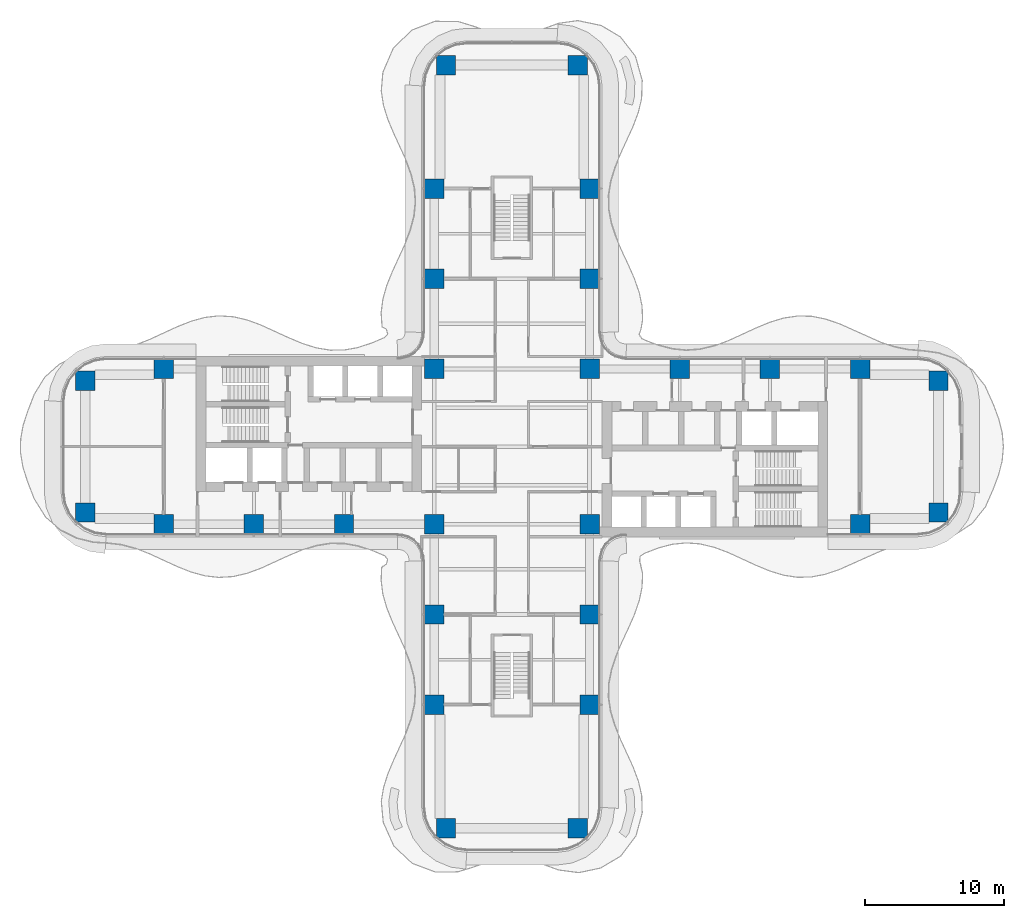
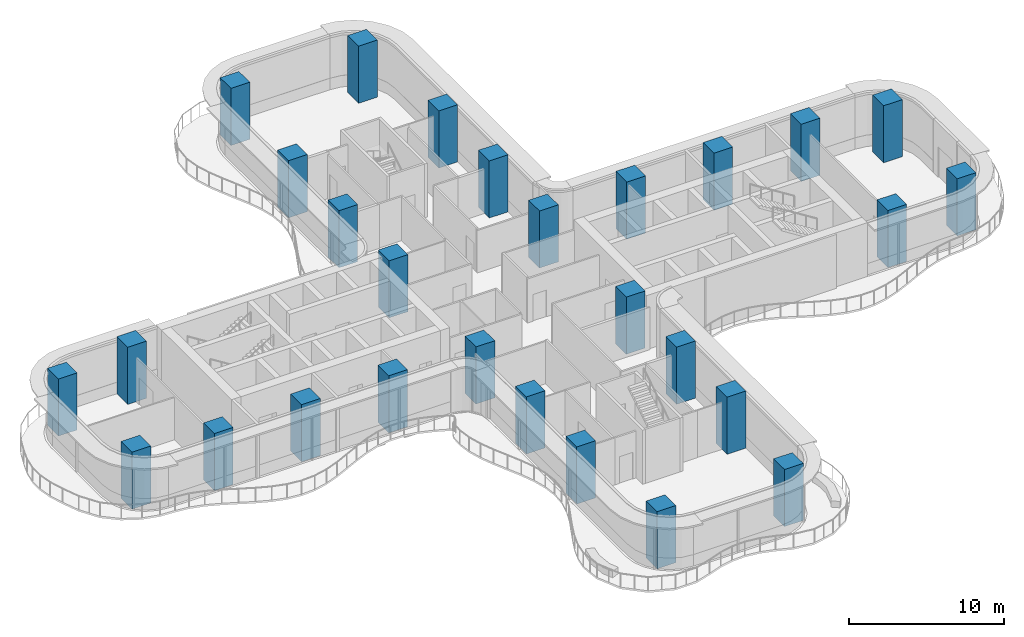
# One storey, part 1 of 22: 28 columns.
"""IFC4 building model written with IfcOpenShell, lengths in metres."""

from ifc_helpers import new_model, si_unit, direction, frame, origin, origin_2d, place, context, subcontext, project, spatial, rectangle, extrude, source, transform, mapped, material, material_profile, profile_set, type_object, element, save


model = new_model("IFC4")

# Units and contexts
model_context = context("Model", 3, precision=1e-05, world=origin(), true_north=direction((0.0, 1.0)))
body_context = subcontext(model_context, "Body", "Model", "MODEL_VIEW")
ifc_project = project(units=[si_unit("LENGTHUNIT", "METRE"), si_unit("AREAUNIT", "SQUARE_METRE"), si_unit("VOLUMEUNIT", "CUBIC_METRE"), si_unit("PLANEANGLEUNIT", "RADIAN"), si_unit("MASSUNIT", "GRAM", prefix="KILO")], contexts=[model_context])

# Site, building, storey
site_placement = place(None, origin())
site = spatial("IfcSite", under=ifc_project, at=site_placement, CompositionType="ELEMENT")
building_placement = place(site_placement, origin())
building = spatial("IfcBuilding", under=site, at=building_placement, Name="Trellis Farm Tower", CompositionType="ELEMENT")
storey_placement = place(building_placement, frame((0.0, 0.0, 43.0)))
storey = spatial("IfcBuildingStorey", under=building, at=storey_placement, Name="L08", CompositionType="ELEMENT", Elevation=43.0)

# Columns
ifc_material = material(Name="Concrete C80/95", Category="concrete")
ifc_material_profile = material_profile(ifc_material, rectangle(XDim=1.39990234375, YDim=1.39990234375, at=origin_2d()), Name="RC column 1400x1400 C80/95")
ifc_profile_set = profile_set([ifc_material_profile], Name="Concrete C80/95")
column_type = type_object("IfcColumnType", Name="RC column 1400x1400 C80/95", PredefinedType="COLUMN", material=ifc_profile_set)
shared_shape = source(origin(), body_context, "Body", "SweptSolid", [
    extrude(rectangle(XDim=1.39990234375, YDim=1.39990234375, at=origin_2d()), origin(), (0.0, 0.0, 1.0), 4.5),
])
for number, where, z_axis, x_axis, name in (
    (1, (12.10009765625, 5.60009765625, 0.0), (0.0, 0.0, 1.0), (1.0, 0.0, 0.0), "Column"),
    (2, (18.60009765625, 5.60009765625, 0.0), (0.0, 0.0, 1.0), (1.0, 0.0, 0.0), "Column"),
    (3, (25.10009765625, 5.60009765625, 0.0), (0.0, 0.0, 1.0), (1.0, 0.0, 0.0), "Column"),
    (4, (30.75, 4.75, 0.0), (0.0, 0.0, 1.0), (1.0, 0.0, 0.0), "Column"),
    (5, (25.10009765625, -5.60009765625, 0.0), (0.0, 0.0, 1.0), (1.0, 0.0, 0.0), "Column"),
    (6, (30.75, -4.75, 0.0), (0.0, 0.0, 1.0), (1.0, 0.0, 0.0), "Column"),
    (7, (-5.60009765625, 12.10009765625, 0.0), (0.0, 0.0, 1.0), (1.0, 0.0, 0.0), "Column"),
    (8, (-5.60009765625, 18.60009765625, 0.0), (0.0, 0.0, 1.0), (1.0, 0.0, 0.0), "Column"),
    (9, (-4.75, 27.5, 0.0), (0.0, 0.0, 1.0), (1.0, 0.0, 0.0), "Column"),
    (10, (5.60009765625, 12.10009765625, 0.0), (0.0, 0.0, 1.0), (1.0, 0.0, 0.0), "Column"),
    (11, (5.60009765625, 18.60009765625, 0.0), (0.0, 0.0, 1.0), (1.0, 0.0, 0.0), "Column"),
    (12, (4.75, 27.5, 0.0), (0.0, 0.0, 1.0), (1.0, 0.0, 0.0), "Column"),
    (13, (5.60009765625, 5.60009765625, 0.0), (0.0, 0.0, 1.0), (1.0, 0.0, 0.0), "Column"),
    (14, (-5.60009765625, 5.60009765625, 0.0), (0.0, 0.0, 1.0), (1.0, 0.0, 0.0), "Column"),
    (15, (5.60009765625, -5.60009765625, 0.0), (0.0, 0.0, 1.0), (1.0, 0.0, 0.0), "Column"),
    (16, (-5.60009765625, -5.60009765625, 0.0), (0.0, 0.0, 1.0), (1.0, 0.0, 0.0), "Column"),
    (17, (5.60009765625, -12.10009765625, 0.0), (0.0, 0.0, 1.0), (1.0, 0.0, 0.0), "Column"),
    (18, (5.60009765625, -18.60009765625, 0.0), (0.0, 0.0, 1.0), (1.0, 0.0, 0.0), "Column"),
    (19, (4.75, -27.5, 0.0), (0.0, 0.0, 1.0), (1.0, 0.0, 0.0), "Column"),
    (20, (-5.60009765625, -12.10009765625, 0.0), (0.0, 0.0, 1.0), (1.0, 0.0, 0.0), "Column"),
    (21, (-5.60009765625, -18.60009765625, 0.0), (0.0, 0.0, 1.0), (1.0, 0.0, 0.0), "Column"),
    (22, (-4.75, -27.5, 0.0), (0.0, 0.0, 1.0), (1.0, 0.0, 0.0), "Column"),
    (23, (-12.10009765625, -5.60009765625, 0.0), (0.0, 0.0, 1.0), (1.0, 0.0, 0.0), "Column"),
    (24, (-18.60009765625, -5.60009765625, 0.0), (0.0, 0.0, 1.0), (1.0, 0.0, 0.0), "Column"),
    (25, (-25.10009765625, -5.60009765625, 0.0), (0.0, 0.0, 1.0), (1.0, 0.0, 0.0), "Column"),
    (26, (-30.75, -4.75, 0.0), (0.0, 0.0, 1.0), (1.0, 0.0, 0.0), "Column"),
    (27, (-25.10009765625, 5.60009765625, 0.0), (0.0, 0.0, 1.0), (1.0, 0.0, 0.0), "Column"),
    (28, (-30.75, 4.75, 0.0), (0.0, 0.0, 1.0), (1.0, 0.0, 0.0), "Column"),
):
    element("IfcColumn", number, at=place(storey_placement, frame(where, z_axis=z_axis, x_axis=x_axis)), inside=storey, type_object=column_type, Name=name, PredefinedType="COLUMN", context=body_context, shape_type="MappedRepresentation", body=[
        mapped(shared_shape, transform((0.0, 0.0, 0.0))),
    ])

save(model, "model.ifc")
